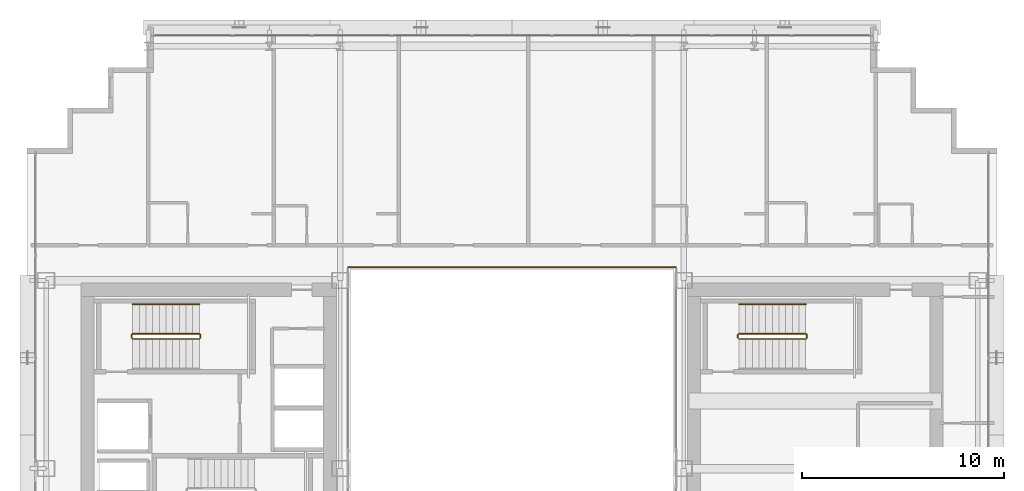
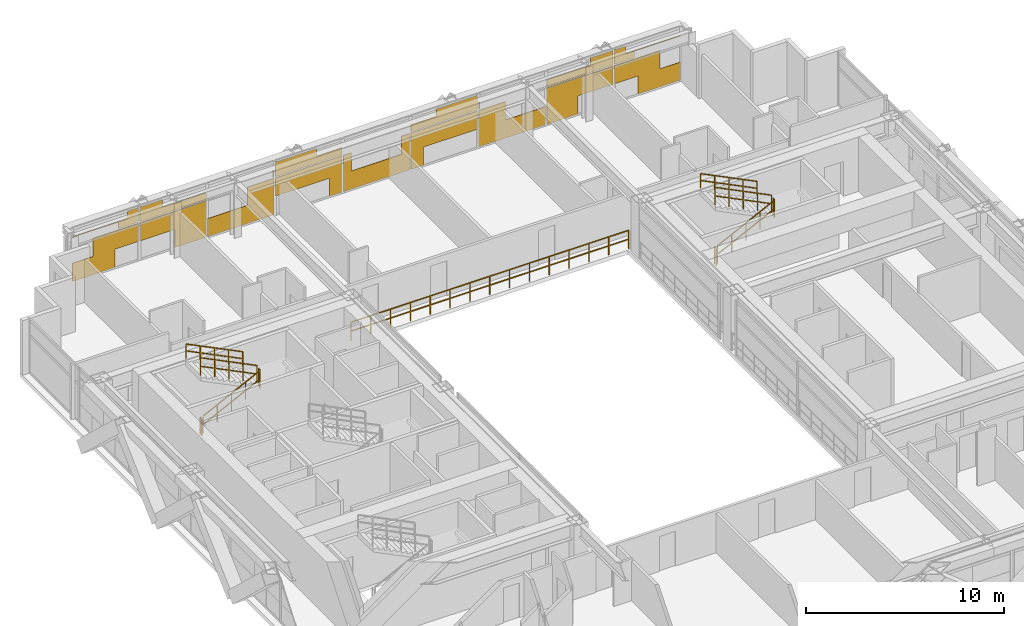
# One storey, part 39 of 39: 11 railings, 1 covering.
"""IFC4 building model written with IfcOpenShell, lengths in metres."""

from ifc_helpers import new_model, si_unit, direction, frame, origin, origin_2d, place, context, subcontext, project, spatial, rectangle, extrude, material, layer, layer_set, type_object, element, save


model = new_model("IFC4")

# Units and contexts
model_context = context("Model", 3, precision=1e-05, world=origin(), true_north=direction((0.0, 1.0)))
body_context = subcontext(model_context, "Body", "Model", "MODEL_VIEW")
ifc_project = project(units=[si_unit("LENGTHUNIT", "METRE"), si_unit("AREAUNIT", "SQUARE_METRE"), si_unit("VOLUMEUNIT", "CUBIC_METRE"), si_unit("PLANEANGLEUNIT", "RADIAN"), si_unit("MASSUNIT", "GRAM", prefix="KILO")], contexts=[model_context])

# Site, building, storey
site_placement = place(None, origin())
site = spatial("IfcSite", under=ifc_project, at=site_placement, CompositionType="ELEMENT")
building_placement = place(site_placement, origin())
building = spatial("IfcBuilding", under=site, at=building_placement, Name="Ocotamira Hotel", CompositionType="ELEMENT")
storey_placement = place(building_placement, frame((0.0, 0.0, 126.0)))
storey = spatial("IfcBuildingStorey", under=building, at=storey_placement, Name="L31", CompositionType="ELEMENT", Elevation=126.0)

# Covering
ifc_material_1 = material(Name="Insulated pale-metal aluminium spandrel panel", Category="aluminium")
ifc_layer = layer(ifc_material_1, 0.044921875)
ifc_layer_set = layer_set([ifc_layer], Name="Insulated pale-metal aluminium spandrel panel")
covering_type = type_object("IfcCoveringType", Name="COV-INFILL-45", PredefinedType="CLADDING", material=ifc_layer_set)
covering_placement = place(storey_placement, origin())
element("IfcCovering", 1, at=covering_placement, inside=storey, type_object=covering_type, Name="L31 Curtain Wall Infill CW-3 CW-L31-N", PredefinedType="CLADDING", context=body_context, shape_type="SweptSolid", body=[
    extrude(rectangle(XDim=2.464111328125, YDim=0.044921875, at=origin_2d()), frame((15.512451171875, 49.580078125, 0.07568359375), z_axis=(0.0, 0.0, 1.0), x_axis=(1.0, 0.0, 0.0)), (0.0, 0.0, 1.0), 1.11767578125),
    extrude(rectangle(XDim=2.650146484375, YDim=0.044921875, at=origin_2d()), frame((16.7900390625, 49.580078125, 1.1943359375), z_axis=(0.0, 0.0, 1.0), x_axis=(1.0, 0.0, 0.0)), (0.0, 0.0, 1.0), 1.117919921875),
    extrude(rectangle(XDim=3.834716796875, YDim=0.044921875, at=origin_2d()), frame((16.19775390625, 49.580078125, 2.782470703125), z_axis=(0.0, 0.0, 1.0), x_axis=(1.0, 0.0, 0.0)), (0.0, 0.0, 1.0), 0.0302734375),
    extrude(rectangle(XDim=1.157958984375, YDim=0.044921875, at=origin_2d()), frame((17.5361328125, 49.580078125, 2.387939453125), z_axis=(0.0, 0.0, 1.0), x_axis=(1.0, 0.0, 0.0)), (0.0, 0.0, 1.0), 0.3935546875),
    extrude(rectangle(XDim=0.625732421875, YDim=0.044921875, at=origin_2d()), frame((17.80224609375, 49.580078125, 2.813720703125), z_axis=(0.0, 0.0, 1.0), x_axis=(1.0, 0.0, 0.0)), (0.0, 0.0, 1.0), 0.470703125),
    extrude(rectangle(XDim=3.87451171875, YDim=0.044921875, at=origin_2d()), frame((20.13330078125, 49.580078125, 1.1943359375), z_axis=(0.0, 0.0, 1.0), x_axis=(1.0, 0.0, 0.0)), (0.0, 0.0, 1.0), 1.117919921875),
    extrude(rectangle(XDim=1.815185546875, YDim=0.044921875, at=origin_2d()), frame((21.1630859375, 49.580078125, 0.07568359375), z_axis=(0.0, 0.0, 1.0), x_axis=(1.0, 0.0, 0.0)), (0.0, 0.0, 1.0), 1.11767578125),
    extrude(rectangle(XDim=3.87451171875, YDim=0.044921875, at=origin_2d()), frame((20.13330078125, 49.580078125, 2.387939453125), z_axis=(0.0, 0.0, 1.0), x_axis=(1.0, 0.0, 0.0)), (0.0, 0.0, 1.0), 0.4248046875),
    extrude(rectangle(XDim=1.314697265625, YDim=0.044921875, at=origin_2d()), frame((18.853515625, 49.580078125, 2.813720703125), z_axis=(0.0, 0.0, 1.0), x_axis=(1.0, 0.0, 0.0)), (0.0, 0.0, 1.0), 0.470703125),
    extrude(rectangle(XDim=3.87451171875, YDim=0.044921875, at=origin_2d()), frame((24.0888671875, 49.580078125, 0.07568359375), z_axis=(0.0, 0.0, 1.0), x_axis=(1.0, 0.0, 0.0)), (0.0, 0.0, 1.0), 1.11767578125),
    extrude(rectangle(XDim=1.561279296875, YDim=0.044921875, at=origin_2d()), frame((25.24560546875, 49.580078125, 1.1943359375), z_axis=(0.0, 0.0, 1.0), x_axis=(1.0, 0.0, 0.0)), (0.0, 0.0, 1.0), 1.117919921875),
    extrude(rectangle(XDim=0.069091796875, YDim=0.044921875, at=origin_2d()), frame((25.99169921875, 49.580078125, 2.387939453125), z_axis=(0.0, 0.0, 1.0), x_axis=(1.0, 0.0, 0.0)), (0.0, 0.0, 1.0), 0.4248046875),
    extrude(rectangle(XDim=3.87451171875, YDim=0.044921875, at=origin_2d()), frame((28.04443359375, 49.580078125, 1.1943359375), z_axis=(0.0, 0.0, 1.0), x_axis=(1.0, 0.0, 0.0)), (0.0, 0.0, 1.0), 1.117919921875),
    extrude(rectangle(XDim=0.726318359375, YDim=0.044921875, at=origin_2d()), frame((29.61865234375, 49.580078125, 0.07568359375), z_axis=(0.0, 0.0, 1.0), x_axis=(1.0, 0.0, 0.0)), (0.0, 0.0, 1.0), 1.11767578125),
    extrude(rectangle(XDim=3.87451171875, YDim=0.044921875, at=origin_2d()), frame((28.04443359375, 49.580078125, 2.387939453125), z_axis=(0.0, 0.0, 1.0), x_axis=(1.0, 0.0, 0.0)), (0.0, 0.0, 1.0), 0.4248046875),
    extrude(rectangle(XDim=2.403564453125, YDim=0.044921875, at=origin_2d()), frame((27.308837890625, 49.580078125, 2.813720703125), z_axis=(0.0, 0.0, 1.0), x_axis=(1.0, 0.0, 0.0)), (0.0, 0.0, 1.0), 0.470703125),
    extrude(rectangle(XDim=3.87451171875, YDim=0.044921875, at=origin_2d()), frame((32.0, 49.580078125, 0.07568359375), z_axis=(0.0, 0.0, 1.0), x_axis=(1.0, 0.0, 0.0)), (0.0, 0.0, 1.0), 1.11767578125),
    extrude(rectangle(XDim=0.472412109375, YDim=0.044921875, at=origin_2d()), frame((30.298828125, 49.580078125, 1.1943359375), z_axis=(0.0, 0.0, 1.0), x_axis=(1.0, 0.0, 0.0)), (0.0, 0.0, 1.0), 1.117919921875),
    extrude(rectangle(XDim=0.472412109375, YDim=0.044921875, at=origin_2d()), frame((33.701171875, 49.580078125, 1.1943359375), z_axis=(0.0, 0.0, 1.0), x_axis=(1.0, 0.0, 0.0)), (0.0, 0.0, 1.0), 1.117919921875),
    extrude(rectangle(XDim=0.726318359375, YDim=0.044921875, at=origin_2d()), frame((34.38134765625, 49.580078125, 0.07568359375), z_axis=(0.0, 0.0, 1.0), x_axis=(1.0, 0.0, 0.0)), (0.0, 0.0, 1.0), 1.11767578125),
    extrude(rectangle(XDim=3.87451171875, YDim=0.044921875, at=origin_2d()), frame((35.95556640625, 49.580078125, 1.1943359375), z_axis=(0.0, 0.0, 1.0), x_axis=(1.0, 0.0, 0.0)), (0.0, 0.0, 1.0), 1.117919921875),
    extrude(rectangle(XDim=3.87451171875, YDim=0.044921875, at=origin_2d()), frame((35.95556640625, 49.580078125, 2.387939453125), z_axis=(0.0, 0.0, 1.0), x_axis=(1.0, 0.0, 0.0)), (0.0, 0.0, 1.0), 0.4248046875),
    extrude(rectangle(XDim=2.403564453125, YDim=0.044921875, at=origin_2d()), frame((36.691162109375, 49.580078125, 2.813720703125), z_axis=(0.0, 0.0, 1.0), x_axis=(1.0, 0.0, 0.0)), (0.0, 0.0, 1.0), 0.470703125),
    extrude(rectangle(XDim=3.87451171875, YDim=0.044921875, at=origin_2d()), frame((39.9111328125, 49.580078125, 0.07568359375), z_axis=(0.0, 0.0, 1.0), x_axis=(1.0, 0.0, 0.0)), (0.0, 0.0, 1.0), 1.11767578125),
    extrude(rectangle(XDim=1.561279296875, YDim=0.044921875, at=origin_2d()), frame((38.75439453125, 49.580078125, 1.1943359375), z_axis=(0.0, 0.0, 1.0), x_axis=(1.0, 0.0, 0.0)), (0.0, 0.0, 1.0), 1.117919921875),
    extrude(rectangle(XDim=0.069091796875, YDim=0.044921875, at=origin_2d()), frame((38.00830078125, 49.580078125, 2.387939453125), z_axis=(0.0, 0.0, 1.0), x_axis=(1.0, 0.0, 0.0)), (0.0, 0.0, 1.0), 0.4248046875),
    extrude(rectangle(XDim=1.815185546875, YDim=0.044921875, at=origin_2d()), frame((42.8369140625, 49.580078125, 0.07568359375), z_axis=(0.0, 0.0, 1.0), x_axis=(1.0, 0.0, 0.0)), (0.0, 0.0, 1.0), 1.11767578125),
    extrude(rectangle(XDim=3.87451171875, YDim=0.044921875, at=origin_2d()), frame((43.86669921875, 49.580078125, 1.1943359375), z_axis=(0.0, 0.0, 1.0), x_axis=(1.0, 0.0, 0.0)), (0.0, 0.0, 1.0), 1.117919921875),
    extrude(rectangle(XDim=3.87451171875, YDim=0.044921875, at=origin_2d()), frame((43.86669921875, 49.580078125, 2.387939453125), z_axis=(0.0, 0.0, 1.0), x_axis=(1.0, 0.0, 0.0)), (0.0, 0.0, 1.0), 0.4248046875),
    extrude(rectangle(XDim=1.314697265625, YDim=0.044921875, at=origin_2d()), frame((45.146484375, 49.580078125, 2.813720703125), z_axis=(0.0, 0.0, 1.0), x_axis=(1.0, 0.0, 0.0)), (0.0, 0.0, 1.0), 0.470703125),
    extrude(rectangle(XDim=2.650146484375, YDim=0.044921875, at=origin_2d()), frame((47.2099609375, 49.580078125, 1.1943359375), z_axis=(0.0, 0.0, 1.0), x_axis=(1.0, 0.0, 0.0)), (0.0, 0.0, 1.0), 1.117919921875),
    extrude(rectangle(XDim=2.464111328125, YDim=0.044921875, at=origin_2d()), frame((48.487548828125, 49.580078125, 0.07568359375), z_axis=(0.0, 0.0, 1.0), x_axis=(1.0, 0.0, 0.0)), (0.0, 0.0, 1.0), 1.11767578125),
    extrude(rectangle(XDim=1.157958984375, YDim=0.044921875, at=origin_2d()), frame((46.4638671875, 49.580078125, 2.387939453125), z_axis=(0.0, 0.0, 1.0), x_axis=(1.0, 0.0, 0.0)), (0.0, 0.0, 1.0), 0.3935546875),
    extrude(rectangle(XDim=3.834716796875, YDim=0.044921875, at=origin_2d()), frame((47.80224609375, 49.580078125, 2.782470703125), z_axis=(0.0, 0.0, 1.0), x_axis=(1.0, 0.0, 0.0)), (0.0, 0.0, 1.0), 0.0302734375),
    extrude(rectangle(XDim=0.625732421875, YDim=0.044921875, at=origin_2d()), frame((46.19775390625, 49.580078125, 2.813720703125), z_axis=(0.0, 0.0, 1.0), x_axis=(1.0, 0.0, 0.0)), (0.0, 0.0, 1.0), 0.470703125),
])

# Railings
ifc_material_2 = material(Name="Painted steel stair guardrail", Category="steel")
railing_type_1 = type_object("IfcRailingType", Name="RL-EDGE-1150", PredefinedType="GUARDRAIL", material=ifc_material_2)
railing_1_placement = place(storey_placement, frame((40.10009765625, 38.1201171875, 0.0)))
element("IfcRailing", 2, at=railing_1_placement, inside=storey, type_object=railing_type_1, Name="L31 Central Atrium Edge Guardrail N", PredefinedType="GUARDRAIL", context=body_context, shape_type="SweptSolid", body=[
    extrude(rectangle(XDim=0.048095703125, YDim=0.048095703125, at=origin_2d()), frame((0.0, 0.0, 1.1259765625), z_axis=(-1.0, 0.0, 0.0), x_axis=(0.0, -1.0, 0.0)), (0.0, 0.0, 1.0), 16.2001953125),
    extrude(rectangle(XDim=0.048095703125, YDim=0.048095703125, at=origin_2d()), frame((0.0, 0.0, 0.574951171875), z_axis=(-1.0, 0.0, 0.0), x_axis=(0.0, -1.0, 0.0)), (0.0, 0.0, 1.0), 16.2001953125),
    extrude(rectangle(XDim=0.0419921875, YDim=0.0419921875, at=origin_2d()), origin(), (0.0, 0.0, 1.0), 1.101806640625),
    extrude(rectangle(XDim=0.0419921875, YDim=0.0419921875, at=origin_2d()), frame((-1.1572265625, 0.0, 0.0)), (0.0, 0.0, 1.0), 1.101806640625),
    extrude(rectangle(XDim=0.0419921875, YDim=0.0419921875, at=origin_2d()), frame((-2.314208984375, 0.0, 0.0)), (0.0, 0.0, 1.0), 1.101806640625),
    extrude(rectangle(XDim=0.0419921875, YDim=0.0419921875, at=origin_2d()), frame((-3.471435546875, 0.0, 0.0)), (0.0, 0.0, 1.0), 1.101806640625),
    extrude(rectangle(XDim=0.0419921875, YDim=0.0419921875, at=origin_2d()), frame((-4.628662109375, 0.0, 0.0)), (0.0, 0.0, 1.0), 1.101806640625),
    extrude(rectangle(XDim=0.0419921875, YDim=0.0419921875, at=origin_2d()), frame((-5.785888671875, 0.0, 0.0)), (0.0, 0.0, 1.0), 1.101806640625),
    extrude(rectangle(XDim=0.0419921875, YDim=0.0419921875, at=origin_2d()), frame((-6.94287109375, 0.0, 0.0)), (0.0, 0.0, 1.0), 1.101806640625),
    extrude(rectangle(XDim=0.0419921875, YDim=0.0419921875, at=origin_2d()), frame((-8.10009765625, 0.0, 0.0)), (0.0, 0.0, 1.0), 1.101806640625),
    extrude(rectangle(XDim=0.0419921875, YDim=0.0419921875, at=origin_2d()), frame((-9.25732421875, 0.0, 0.0)), (0.0, 0.0, 1.0), 1.101806640625),
    extrude(rectangle(XDim=0.0419921875, YDim=0.0419921875, at=origin_2d()), frame((-10.414306640625, 0.0, 0.0)), (0.0, 0.0, 1.0), 1.101806640625),
    extrude(rectangle(XDim=0.0419921875, YDim=0.0419921875, at=origin_2d()), frame((-11.571533203125, 0.0, 0.0)), (0.0, 0.0, 1.0), 1.101806640625),
    extrude(rectangle(XDim=0.0419921875, YDim=0.0419921875, at=origin_2d()), frame((-12.728759765625, 0.0, 0.0)), (0.0, 0.0, 1.0), 1.101806640625),
    extrude(rectangle(XDim=0.0419921875, YDim=0.0419921875, at=origin_2d()), frame((-13.885986328125, 0.0, 0.0)), (0.0, 0.0, 1.0), 1.101806640625),
    extrude(rectangle(XDim=0.0419921875, YDim=0.0419921875, at=origin_2d()), frame((-15.04296875, 0.0, 0.0)), (0.0, 0.0, 1.0), 1.101806640625),
    extrude(rectangle(XDim=0.0419921875, YDim=0.0419921875, at=origin_2d()), frame((-16.2001953125, 0.0, 0.0)), (0.0, 0.0, 1.0), 1.101806640625),
])
ifc_material_3 = material(Name="Brushed stainless steel handrail", Category="steel")
railing_type_2 = type_object("IfcRailingType", Name="RL-HAND-900", PredefinedType="HANDRAIL", material=ifc_material_3)
for number, where, name in (
    (3, (16.530029296875, 36.280029296875, 2.127197265625), "L31 ST-2 stair handrail 2"),
    (4, (46.530029296875, 36.280029296875, 2.127197265625), "L31 ST-4 stair handrail 2"),
):
    element("IfcRailing", number, at=place(storey_placement, frame(where)), inside=storey, type_object=railing_type_2, Name=name, PredefinedType="HANDRAIL", context=body_context, shape_type="SweptSolid", body=[
        extrude(rectangle(XDim=0.048095703125, YDim=0.048095703125, at=origin_2d()), frame((0.0, 0.0, 0.8759765625), z_axis=(-0.895893744519, 0.0, 0.4442683857), x_axis=(0.0, -1.0, 0.0)), (0.0, 0.0, 1.0), 3.68359375),
        extrude(rectangle(XDim=0.048095703125, YDim=0.048095703125, at=origin_2d()), frame((0.0, 0.0, 0.449951171875), z_axis=(-0.895893744519, 0.0, 0.4442683857), x_axis=(0.0, -1.0, 0.0)), (0.0, 0.0, 1.0), 3.68359375),
        extrude(rectangle(XDim=0.0419921875, YDim=0.0419921875, at=origin_2d()), origin(), (0.0, 0.0, 1.0), 0.851806640625),
        extrude(rectangle(XDim=0.0419921875, YDim=0.0419921875, at=origin_2d()), frame((-0.824951171875, 0.0, 0.4091796875)), (0.0, 0.0, 1.0), 0.851806640625),
        extrude(rectangle(XDim=0.0419921875, YDim=0.0419921875, at=origin_2d()), frame((-1.64990234375, 0.0, 0.818359375)), (0.0, 0.0, 1.0), 0.851806640625),
        extrude(rectangle(XDim=0.0419921875, YDim=0.0419921875, at=origin_2d()), frame((-2.47509765625, 0.0, 1.227294921875)), (0.0, 0.0, 1.0), 0.851806640625),
        extrude(rectangle(XDim=0.0419921875, YDim=0.0419921875, at=origin_2d()), frame((-3.300048828125, 0.0, 1.636474609375)), (0.0, 0.0, 1.0), 0.851806640625),
    ])
railing_type_3 = type_object("IfcRailingType", Name="RL-STAIR-1100", PredefinedType="GUARDRAIL", material=ifc_material_2)
railing_2_placement = place(storey_placement, frame((13.22998046875, 34.56005859375, 0.16357421875)))
element("IfcRailing", 5, at=railing_2_placement, inside=storey, type_object=railing_type_3, Name="L31 ST-2 stair guard 1", PredefinedType="GUARDRAIL", context=body_context, shape_type="SweptSolid", body=[
    extrude(rectangle(XDim=0.048095703125, YDim=0.048095703125, at=origin_2d()), frame((0.0, 0.0, 1.076171875), z_axis=(0.895893744519, 0.0, 0.4442683857), x_axis=(0.0, 1.0, 0.0)), (0.0, 0.0, 1.0), 3.68359375),
    extrude(rectangle(XDim=0.048095703125, YDim=0.048095703125, at=origin_2d()), frame((0.0, 0.0, 0.550048828125), z_axis=(0.895893744519, 0.0, 0.4442683857), x_axis=(0.0, 1.0, 0.0)), (0.0, 0.0, 1.0), 3.68359375),
    extrude(rectangle(XDim=0.0419921875, YDim=0.0419921875, at=origin_2d()), origin(), (0.0, 0.0, 1.0), 1.052001953125),
    extrude(rectangle(XDim=0.0419921875, YDim=0.0419921875, at=origin_2d()), frame((0.824951171875, 0.0, 0.4091796875)), (0.0, 0.0, 1.0), 1.052001953125),
    extrude(rectangle(XDim=0.0419921875, YDim=0.0419921875, at=origin_2d()), frame((1.64990234375, 0.0, 0.818359375)), (0.0, 0.0, 1.0), 1.052001953125),
    extrude(rectangle(XDim=0.0419921875, YDim=0.0419921875, at=origin_2d()), frame((2.47509765625, 0.0, 1.227294921875)), (0.0, 0.0, 1.0), 1.052001953125),
    extrude(rectangle(XDim=0.0419921875, YDim=0.0419921875, at=origin_2d()), frame((3.300048828125, 0.0, 1.636474609375)), (0.0, 0.0, 1.0), 1.052001953125),
])
railing_3_placement = place(storey_placement, frame((16.580078125, 34.610107421875, 1.800048828125)))
element("IfcRailing", 6, at=railing_3_placement, inside=storey, type_object=railing_type_3, Name="L31 ST-2 stair guard 2", PredefinedType="GUARDRAIL", context=body_context, shape_type="SweptSolid", body=[
    extrude(rectangle(XDim=0.048095703125, YDim=0.048095703125, at=origin_2d()), frame((0.0, 0.0, 1.076171875), z_axis=(0.0, 1.0, 0.0), x_axis=(-1.0, 0.0, 0.0)), (0.0, 0.0, 1.0), 0.159912109375),
    extrude(rectangle(XDim=0.048095703125, YDim=0.048095703125, at=origin_2d()), frame((0.0, 0.0, 0.550048828125), z_axis=(0.0, 1.0, 0.0), x_axis=(-1.0, 0.0, 0.0)), (0.0, 0.0, 1.0), 0.159912109375),
    extrude(rectangle(XDim=0.0419921875, YDim=0.0419921875, at=origin_2d()), origin(), (0.0, 0.0, 1.0), 1.052001953125),
    extrude(rectangle(XDim=0.0419921875, YDim=0.0419921875, at=origin_2d()), frame((0.0, 0.159912109375, 0.0)), (0.0, 0.0, 1.0), 1.052001953125),
])
railing_4_placement = place(storey_placement, frame((16.530029296875, 34.820068359375, 1.963623046875)))
element("IfcRailing", 7, at=railing_4_placement, inside=storey, type_object=railing_type_3, Name="L31 ST-2 stair guard 3", PredefinedType="GUARDRAIL", context=body_context, shape_type="SweptSolid", body=[
    extrude(rectangle(XDim=0.048095703125, YDim=0.048095703125, at=origin_2d()), frame((0.0, 0.0, 1.076171875), z_axis=(-0.895893744519, 0.0, 0.4442683857), x_axis=(0.0, -1.0, 0.0)), (0.0, 0.0, 1.0), 3.68359375),
    extrude(rectangle(XDim=0.048095703125, YDim=0.048095703125, at=origin_2d()), frame((0.0, 0.0, 0.550048828125), z_axis=(-0.895893744519, 0.0, 0.4442683857), x_axis=(0.0, -1.0, 0.0)), (0.0, 0.0, 1.0), 3.68359375),
    extrude(rectangle(XDim=0.0419921875, YDim=0.0419921875, at=origin_2d()), origin(), (0.0, 0.0, 1.0), 1.052001953125),
    extrude(rectangle(XDim=0.0419921875, YDim=0.0419921875, at=origin_2d()), frame((-0.824951171875, 0.0, 0.4091796875)), (0.0, 0.0, 1.0), 1.052001953125),
    extrude(rectangle(XDim=0.0419921875, YDim=0.0419921875, at=origin_2d()), frame((-1.64990234375, 0.0, 0.818359375)), (0.0, 0.0, 1.0), 1.052001953125),
    extrude(rectangle(XDim=0.0419921875, YDim=0.0419921875, at=origin_2d()), frame((-2.47509765625, 0.0, 1.227294921875)), (0.0, 0.0, 1.0), 1.052001953125),
    extrude(rectangle(XDim=0.0419921875, YDim=0.0419921875, at=origin_2d()), frame((-3.300048828125, 0.0, 1.636474609375)), (0.0, 0.0, 1.0), 1.052001953125),
])
railing_5_placement = place(storey_placement, frame((13.179931640625, 34.610107421875, 0.0)))
element("IfcRailing", 8, at=railing_5_placement, inside=storey, type_object=railing_type_3, Name="L31 ST-2 stair guard 4", PredefinedType="GUARDRAIL", context=body_context, shape_type="SweptSolid", body=[
    extrude(rectangle(XDim=0.048095703125, YDim=0.048095703125, at=origin_2d()), frame((0.0, 0.0, 1.076171875), z_axis=(0.0, 1.0, 0.0), x_axis=(-1.0, 0.0, 0.0)), (0.0, 0.0, 1.0), 0.159912109375),
    extrude(rectangle(XDim=0.048095703125, YDim=0.048095703125, at=origin_2d()), frame((0.0, 0.0, 0.550048828125), z_axis=(0.0, 1.0, 0.0), x_axis=(-1.0, 0.0, 0.0)), (0.0, 0.0, 1.0), 0.159912109375),
    extrude(rectangle(XDim=0.0419921875, YDim=0.0419921875, at=origin_2d()), origin(), (0.0, 0.0, 1.0), 1.052001953125),
    extrude(rectangle(XDim=0.0419921875, YDim=0.0419921875, at=origin_2d()), frame((0.0, 0.159912109375, 0.0)), (0.0, 0.0, 1.0), 1.052001953125),
])
railing_6_placement = place(storey_placement, frame((43.22998046875, 34.56005859375, 0.16357421875)))
element("IfcRailing", 9, at=railing_6_placement, inside=storey, type_object=railing_type_3, Name="L31 ST-4 stair guard 1", PredefinedType="GUARDRAIL", context=body_context, shape_type="SweptSolid", body=[
    extrude(rectangle(XDim=0.048095703125, YDim=0.048095703125, at=origin_2d()), frame((0.0, 0.0, 1.076171875), z_axis=(0.895893744519, 0.0, 0.4442683857), x_axis=(0.0, 1.0, 0.0)), (0.0, 0.0, 1.0), 3.68359375),
    extrude(rectangle(XDim=0.048095703125, YDim=0.048095703125, at=origin_2d()), frame((0.0, 0.0, 0.550048828125), z_axis=(0.895893744519, 0.0, 0.4442683857), x_axis=(0.0, 1.0, 0.0)), (0.0, 0.0, 1.0), 3.68359375),
    extrude(rectangle(XDim=0.0419921875, YDim=0.0419921875, at=origin_2d()), origin(), (0.0, 0.0, 1.0), 1.052001953125),
    extrude(rectangle(XDim=0.0419921875, YDim=0.0419921875, at=origin_2d()), frame((0.824951171875, 0.0, 0.4091796875)), (0.0, 0.0, 1.0), 1.052001953125),
    extrude(rectangle(XDim=0.0419921875, YDim=0.0419921875, at=origin_2d()), frame((1.64990234375, 0.0, 0.818359375)), (0.0, 0.0, 1.0), 1.052001953125),
    extrude(rectangle(XDim=0.0419921875, YDim=0.0419921875, at=origin_2d()), frame((2.47509765625, 0.0, 1.227294921875)), (0.0, 0.0, 1.0), 1.052001953125),
    extrude(rectangle(XDim=0.0419921875, YDim=0.0419921875, at=origin_2d()), frame((3.300048828125, 0.0, 1.636474609375)), (0.0, 0.0, 1.0), 1.052001953125),
])
railing_7_placement = place(storey_placement, frame((46.580078125, 34.610107421875, 1.800048828125)))
element("IfcRailing", 10, at=railing_7_placement, inside=storey, type_object=railing_type_3, Name="L31 ST-4 stair guard 2", PredefinedType="GUARDRAIL", context=body_context, shape_type="SweptSolid", body=[
    extrude(rectangle(XDim=0.048095703125, YDim=0.048095703125, at=origin_2d()), frame((0.0, 0.0, 1.076171875), z_axis=(0.0, 1.0, 0.0), x_axis=(-1.0, 0.0, 0.0)), (0.0, 0.0, 1.0), 0.159912109375),
    extrude(rectangle(XDim=0.048095703125, YDim=0.048095703125, at=origin_2d()), frame((0.0, 0.0, 0.550048828125), z_axis=(0.0, 1.0, 0.0), x_axis=(-1.0, 0.0, 0.0)), (0.0, 0.0, 1.0), 0.159912109375),
    extrude(rectangle(XDim=0.0419921875, YDim=0.0419921875, at=origin_2d()), origin(), (0.0, 0.0, 1.0), 1.052001953125),
    extrude(rectangle(XDim=0.0419921875, YDim=0.0419921875, at=origin_2d()), frame((0.0, 0.159912109375, 0.0)), (0.0, 0.0, 1.0), 1.052001953125),
])
railing_8_placement = place(storey_placement, frame((46.530029296875, 34.820068359375, 1.963623046875)))
element("IfcRailing", 11, at=railing_8_placement, inside=storey, type_object=railing_type_3, Name="L31 ST-4 stair guard 3", PredefinedType="GUARDRAIL", context=body_context, shape_type="SweptSolid", body=[
    extrude(rectangle(XDim=0.048095703125, YDim=0.048095703125, at=origin_2d()), frame((0.0, 0.0, 1.076171875), z_axis=(-0.895893744519, 0.0, 0.4442683857), x_axis=(0.0, -1.0, 0.0)), (0.0, 0.0, 1.0), 3.68359375),
    extrude(rectangle(XDim=0.048095703125, YDim=0.048095703125, at=origin_2d()), frame((0.0, 0.0, 0.550048828125), z_axis=(-0.895893744519, 0.0, 0.4442683857), x_axis=(0.0, -1.0, 0.0)), (0.0, 0.0, 1.0), 3.68359375),
    extrude(rectangle(XDim=0.0419921875, YDim=0.0419921875, at=origin_2d()), origin(), (0.0, 0.0, 1.0), 1.052001953125),
    extrude(rectangle(XDim=0.0419921875, YDim=0.0419921875, at=origin_2d()), frame((-0.824951171875, 0.0, 0.4091796875)), (0.0, 0.0, 1.0), 1.052001953125),
    extrude(rectangle(XDim=0.0419921875, YDim=0.0419921875, at=origin_2d()), frame((-1.64990234375, 0.0, 0.818359375)), (0.0, 0.0, 1.0), 1.052001953125),
    extrude(rectangle(XDim=0.0419921875, YDim=0.0419921875, at=origin_2d()), frame((-2.47509765625, 0.0, 1.227294921875)), (0.0, 0.0, 1.0), 1.052001953125),
    extrude(rectangle(XDim=0.0419921875, YDim=0.0419921875, at=origin_2d()), frame((-3.300048828125, 0.0, 1.636474609375)), (0.0, 0.0, 1.0), 1.052001953125),
])
railing_9_placement = place(storey_placement, frame((43.179931640625, 34.610107421875, 0.0)))
element("IfcRailing", 12, at=railing_9_placement, inside=storey, type_object=railing_type_3, Name="L31 ST-4 stair guard 4", PredefinedType="GUARDRAIL", context=body_context, shape_type="SweptSolid", body=[
    extrude(rectangle(XDim=0.048095703125, YDim=0.048095703125, at=origin_2d()), frame((0.0, 0.0, 1.076171875), z_axis=(0.0, 1.0, 0.0), x_axis=(-1.0, 0.0, 0.0)), (0.0, 0.0, 1.0), 0.159912109375),
    extrude(rectangle(XDim=0.048095703125, YDim=0.048095703125, at=origin_2d()), frame((0.0, 0.0, 0.550048828125), z_axis=(0.0, 1.0, 0.0), x_axis=(-1.0, 0.0, 0.0)), (0.0, 0.0, 1.0), 0.159912109375),
    extrude(rectangle(XDim=0.0419921875, YDim=0.0419921875, at=origin_2d()), origin(), (0.0, 0.0, 1.0), 1.052001953125),
    extrude(rectangle(XDim=0.0419921875, YDim=0.0419921875, at=origin_2d()), frame((0.0, 0.159912109375, 0.0)), (0.0, 0.0, 1.0), 1.052001953125),
])

save(model, "model.ifc")
